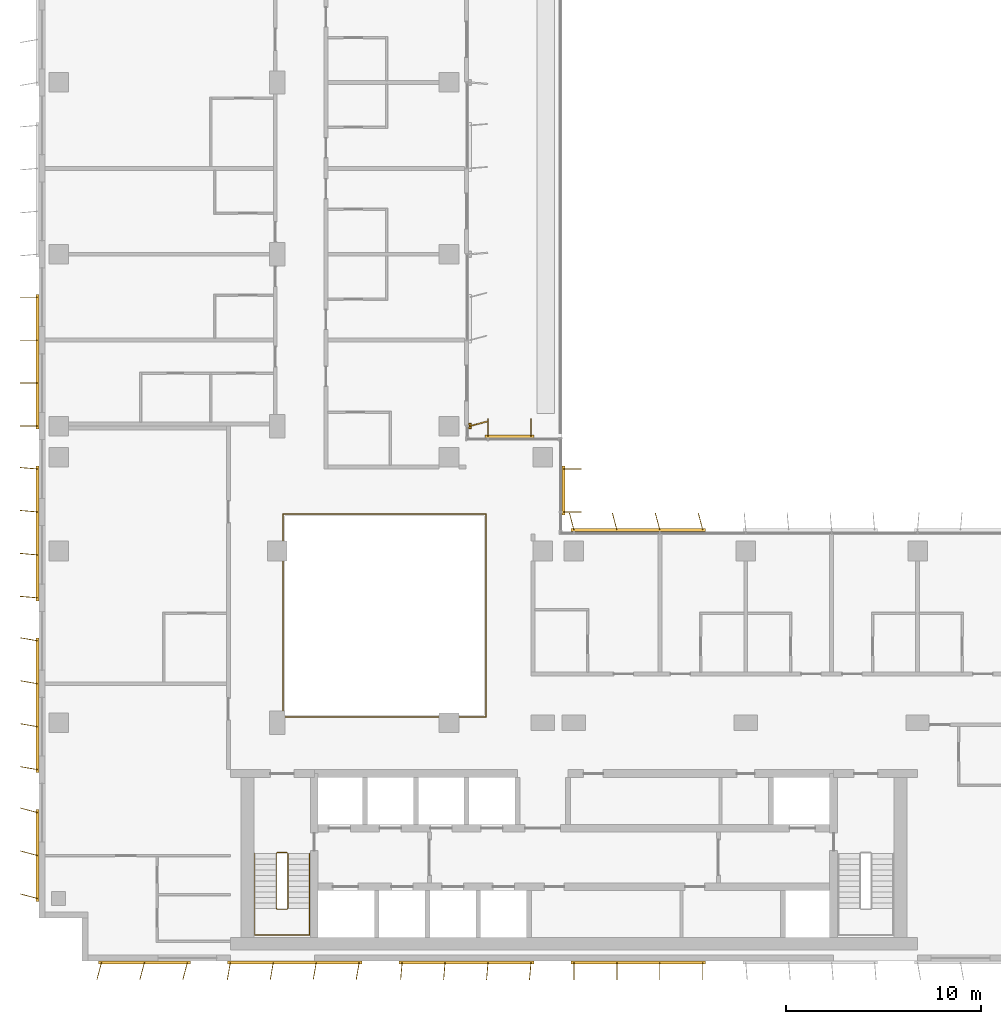
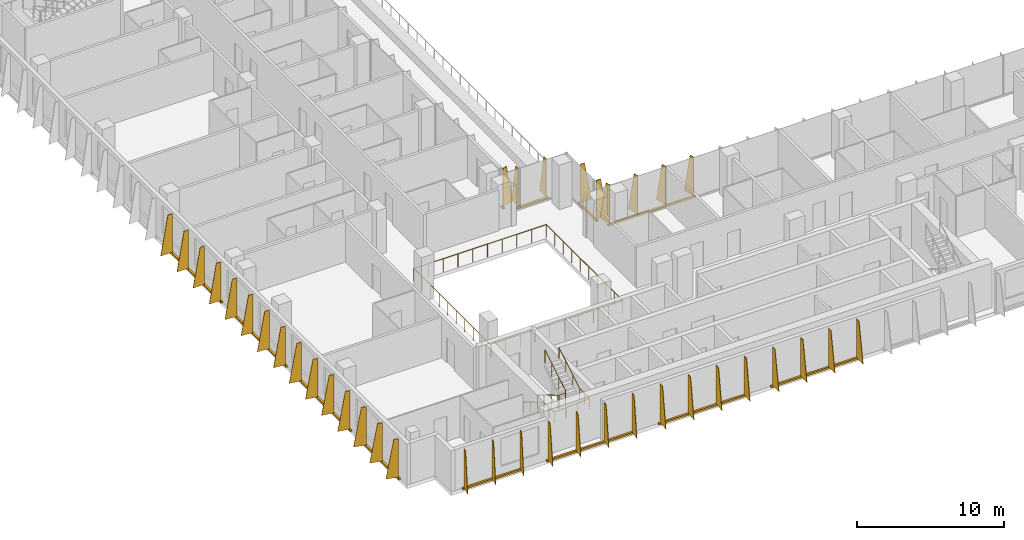
# One storey, part 19 of 22: 12 shading devices, 3 railings.
"""IFC4 building model written with IfcOpenShell, lengths in metres."""

from ifc_helpers import new_model, si_unit, direction, frame, origin, origin_2d, place, context, subcontext, project, spatial, polyline, rectangle, circle, outline, extrude, source, transform, mapped, material, layer, layer_set, type_object, element, save


model = new_model("IFC4")

# Units and contexts
model_context = context("Model", 3, precision=1e-05, world=origin(), true_north=direction((0.0, 1.0)))
body_context = subcontext(model_context, "Body", "Model", "MODEL_VIEW")
ifc_project = project(units=[si_unit("LENGTHUNIT", "METRE"), si_unit("AREAUNIT", "SQUARE_METRE"), si_unit("VOLUMEUNIT", "CUBIC_METRE"), si_unit("PLANEANGLEUNIT", "RADIAN"), si_unit("MASSUNIT", "GRAM", prefix="KILO")], contexts=[model_context])

# Site, building, storey
site_placement = place(None, origin())
site = spatial("IfcSite", under=ifc_project, at=site_placement, CompositionType="ELEMENT")
building_placement = place(site_placement, origin())
building = spatial("IfcBuilding", under=site, at=building_placement, Name="Kemantara Hotel Tower", CompositionType="ELEMENT")
storey_placement = place(building_placement, frame((0.0, 0.0, 153.10009765625)))
storey = spatial("IfcBuildingStorey", under=building, at=storey_placement, Name="L37", CompositionType="ELEMENT", Elevation=153.10009765625)

# Railings
ifc_material_1 = material(Name="Stainless steel and laminated glass balustrade", Category="steel")
railing_type_1 = type_object("IfcRailingType", Name="ATRIUM GUARD 1100", PredefinedType="GUARDRAIL", material=ifc_material_1)
railing_1_placement = place(storey_placement, frame((12.56005859375, 12.5, 0.0)))
element("IfcRailing", 1, at=railing_1_placement, inside=storey, type_object=railing_type_1, Name="ATRIUM GUARD L37", PredefinedType="GUARDRAIL", context=body_context, shape_type="SweptSolid", body=[
    extrude(circle(Radius=0.02490234375, at=origin_2d()), frame((0.0, 0.0, 1.0751953125), z_axis=(1.0, 0.0, 0.0), x_axis=(0.0, 1.0, 0.0)), (0.0, 0.0, 1.0), 10.33984375),
    extrude(circle(Radius=0.02490234375, at=origin_2d()), frame((10.33984375, 0.0, 1.0751953125), z_axis=(0.0, 1.0, 0.0), x_axis=(-1.0, 0.0, 0.0)), (0.0, 0.0, 1.0), 10.39990234375),
    extrude(circle(Radius=0.02490234375, at=origin_2d()), frame((10.33984375, 10.39990234375, 1.0751953125), z_axis=(-1.0, 0.0, 0.0), x_axis=(0.0, -1.0, 0.0)), (0.0, 0.0, 1.0), 10.39990234375),
    extrude(circle(Radius=0.02490234375, at=origin_2d()), frame((-0.06005859375, 10.39990234375, 1.0751953125), z_axis=(0.0, -1.0, 0.0), x_axis=(1.0, 0.0, 0.0)), (0.0, 0.0, 1.0), 10.39990234375),
    extrude(circle(Radius=0.02001953125, at=origin_2d()), origin(), (0.0, 0.0, 1.0), 1.050048828125),
    extrude(circle(Radius=0.02001953125, at=origin_2d()), frame((1.14892578125, 0.0, 0.0)), (0.0, 0.0, 1.0), 1.050048828125),
    extrude(circle(Radius=0.02001953125, at=origin_2d()), frame((2.2978515625, 0.0, 0.0)), (0.0, 0.0, 1.0), 1.050048828125),
    extrude(circle(Radius=0.02001953125, at=origin_2d()), frame((3.446533203125, 0.0, 0.0)), (0.0, 0.0, 1.0), 1.050048828125),
    extrude(circle(Radius=0.02001953125, at=origin_2d()), frame((4.595458984375, 0.0, 0.0)), (0.0, 0.0, 1.0), 1.050048828125),
    extrude(circle(Radius=0.02001953125, at=origin_2d()), frame((5.744384765625, 0.0, 0.0)), (0.0, 0.0, 1.0), 1.050048828125),
    extrude(circle(Radius=0.02001953125, at=origin_2d()), frame((6.893310546875, 0.0, 0.0)), (0.0, 0.0, 1.0), 1.050048828125),
    extrude(circle(Radius=0.02001953125, at=origin_2d()), frame((8.0419921875, 0.0, 0.0)), (0.0, 0.0, 1.0), 1.050048828125),
    extrude(circle(Radius=0.02001953125, at=origin_2d()), frame((9.19091796875, 0.0, 0.0)), (0.0, 0.0, 1.0), 1.050048828125),
    extrude(circle(Radius=0.02001953125, at=origin_2d()), frame((10.33984375, 0.0, 0.0)), (0.0, 0.0, 1.0), 1.050048828125),
    extrude(circle(Radius=0.02001953125, at=origin_2d()), frame((10.33984375, 1.155517578125, 0.0)), (0.0, 0.0, 1.0), 1.050048828125),
    extrude(circle(Radius=0.02001953125, at=origin_2d()), frame((10.33984375, 2.31103515625, 0.0)), (0.0, 0.0, 1.0), 1.050048828125),
    extrude(circle(Radius=0.02001953125, at=origin_2d()), frame((10.33984375, 3.466552734375, 0.0)), (0.0, 0.0, 1.0), 1.050048828125),
    extrude(circle(Radius=0.02001953125, at=origin_2d()), frame((10.33984375, 4.6220703125, 0.0)), (0.0, 0.0, 1.0), 1.050048828125),
    extrude(circle(Radius=0.02001953125, at=origin_2d()), frame((10.33984375, 5.77783203125, 0.0)), (0.0, 0.0, 1.0), 1.050048828125),
    extrude(circle(Radius=0.02001953125, at=origin_2d()), frame((10.33984375, 6.933349609375, 0.0)), (0.0, 0.0, 1.0), 1.050048828125),
    extrude(circle(Radius=0.02001953125, at=origin_2d()), frame((10.33984375, 8.0888671875, 0.0)), (0.0, 0.0, 1.0), 1.050048828125),
    extrude(circle(Radius=0.02001953125, at=origin_2d()), frame((10.33984375, 9.244384765625, 0.0)), (0.0, 0.0, 1.0), 1.050048828125),
    extrude(circle(Radius=0.02001953125, at=origin_2d()), frame((10.33984375, 10.39990234375, 0.0)), (0.0, 0.0, 1.0), 1.050048828125),
    extrude(circle(Radius=0.02001953125, at=origin_2d()), frame((9.184326171875, 10.39990234375, 0.0)), (0.0, 0.0, 1.0), 1.050048828125),
    extrude(circle(Radius=0.02001953125, at=origin_2d()), frame((8.02880859375, 10.39990234375, 0.0)), (0.0, 0.0, 1.0), 1.050048828125),
    extrude(circle(Radius=0.02001953125, at=origin_2d()), frame((6.873291015625, 10.39990234375, 0.0)), (0.0, 0.0, 1.0), 1.050048828125),
    extrude(circle(Radius=0.02001953125, at=origin_2d()), frame((5.7177734375, 10.39990234375, 0.0)), (0.0, 0.0, 1.0), 1.050048828125),
    extrude(circle(Radius=0.02001953125, at=origin_2d()), frame((4.56201171875, 10.39990234375, 0.0)), (0.0, 0.0, 1.0), 1.050048828125),
    extrude(circle(Radius=0.02001953125, at=origin_2d()), frame((3.406494140625, 10.39990234375, 0.0)), (0.0, 0.0, 1.0), 1.050048828125),
    extrude(circle(Radius=0.02001953125, at=origin_2d()), frame((2.2509765625, 10.39990234375, 0.0)), (0.0, 0.0, 1.0), 1.050048828125),
    extrude(circle(Radius=0.02001953125, at=origin_2d()), frame((1.095458984375, 10.39990234375, 0.0)), (0.0, 0.0, 1.0), 1.050048828125),
    extrude(circle(Radius=0.02001953125, at=origin_2d()), frame((-0.06005859375, 10.39990234375, 0.0)), (0.0, 0.0, 1.0), 1.050048828125),
    extrude(circle(Radius=0.02001953125, at=origin_2d()), frame((-0.06005859375, 9.244384765625, 0.0)), (0.0, 0.0, 1.0), 1.050048828125),
    extrude(circle(Radius=0.02001953125, at=origin_2d()), frame((-0.06005859375, 8.0888671875, 0.0)), (0.0, 0.0, 1.0), 1.050048828125),
    extrude(circle(Radius=0.02001953125, at=origin_2d()), frame((-0.06005859375, 6.933349609375, 0.0)), (0.0, 0.0, 1.0), 1.050048828125),
    extrude(circle(Radius=0.02001953125, at=origin_2d()), frame((-0.06005859375, 5.77783203125, 0.0)), (0.0, 0.0, 1.0), 1.050048828125),
    extrude(circle(Radius=0.02001953125, at=origin_2d()), frame((-0.06005859375, 4.6220703125, 0.0)), (0.0, 0.0, 1.0), 1.050048828125),
    extrude(circle(Radius=0.02001953125, at=origin_2d()), frame((-0.06005859375, 3.466552734375, 0.0)), (0.0, 0.0, 1.0), 1.050048828125),
    extrude(circle(Radius=0.02001953125, at=origin_2d()), frame((-0.06005859375, 2.31103515625, 0.0)), (0.0, 0.0, 1.0), 1.050048828125),
    extrude(circle(Radius=0.02001953125, at=origin_2d()), frame((-0.06005859375, 1.155517578125, 0.0)), (0.0, 0.0, 1.0), 1.050048828125),
    extrude(circle(Radius=0.02001953125, at=origin_2d()), frame((-0.06005859375, 0.0, 0.0)), (0.0, 0.0, 1.0), 1.050048828125),
])
ifc_material_2 = material(Name="Stainless steel balustrade", Category="steel")
railing_type_2 = type_object("IfcRailingType", Name="Stair guard 1100 mm", PredefinedType="GUARDRAIL", material=ifc_material_2)
railing_2_placement = place(storey_placement, frame((12.75, 5.5, 3.699951171875)))
element("IfcRailing", 2, at=railing_2_placement, inside=storey, type_object=railing_type_2, Name="L37 ST1 stair guard 1", PredefinedType="GUARDRAIL", context=body_context, shape_type="SweptSolid", body=[
    extrude(circle(Radius=0.02392578125, at=origin_2d()), frame((0.0, 0.0, 1.076171875), z_axis=(0.0, -0.857242210791, -0.514913383045), x_axis=(1.0, 0.0, 0.0)), (0.0, 0.0, 1.0), 3.266357421875),
    extrude(circle(Radius=0.02392578125, at=origin_2d()), frame((0.0, -2.800048828125, -0.60595703125), z_axis=(-0.274243871929, -0.274243871929, -0.92172696468), x_axis=(0.707106781187, -0.707106781187, 0.0)), (0.0, 0.0, 1.0), 0.1826171875),
    extrude(circle(Radius=0.02392578125, at=origin_2d()), frame((-0.050048828125, -2.85009765625, -0.77392578125), z_axis=(-1.0, 0.0, 0.0), x_axis=(0.0, -1.0, 0.0)), (0.0, 0.0, 1.0), 0.5),
    extrude(circle(Radius=0.02392578125, at=origin_2d()), frame((-0.550048828125, -2.85009765625, -0.77392578125), z_axis=(-0.707106781187, 0.707106781187, 0.0), x_axis=(-0.707106781187, -0.707106781187, 0.0)), (0.0, 0.0, 1.0), 0.07080078125),
    extrude(circle(Radius=0.02392578125, at=origin_2d()), frame((-0.60009765625, -2.800048828125, -0.77392578125), z_axis=(0.0, 0.857242210791, -0.514913383045), x_axis=(-1.0, 0.0, 0.0)), (0.0, 0.0, 1.0), 3.266357421875),
    extrude(circle(Radius=0.02392578125, at=origin_2d()), frame((-0.60009765625, 0.0, -2.4560546875), z_axis=(0.274582412415, 0.274582412415, -0.921525364591), x_axis=(-0.707106781187, 0.707106781187, 0.0)), (0.0, 0.0, 1.0), 0.182373046875),
    extrude(circle(Radius=0.02392578125, at=origin_2d()), frame((-0.550048828125, 0.050048828125, -2.6240234375), z_axis=(1.0, 0.0, 0.0), x_axis=(0.0, 1.0, 0.0)), (0.0, 0.0, 1.0), 0.5),
    extrude(circle(Radius=0.02099609375, at=origin_2d()), origin(), (0.0, 0.0, 1.0), 1.052001953125),
    extrude(circle(Radius=0.02099609375, at=origin_2d()), frame((0.0, -0.933349609375, -0.560546875)), (0.0, 0.0, 1.0), 1.052001953125),
    extrude(circle(Radius=0.02099609375, at=origin_2d()), frame((0.0, -1.86669921875, -1.121337890625)), (0.0, 0.0, 1.0), 1.052001953125),
    extrude(circle(Radius=0.02099609375, at=origin_2d()), frame((0.0, -2.800048828125, -1.681884765625)), (0.0, 0.0, 1.0), 1.052001953125),
    extrude(circle(Radius=0.02099609375, at=origin_2d()), frame((-0.050048828125, -2.85009765625, -1.85009765625)), (0.0, 0.0, 1.0), 1.052001953125),
    extrude(circle(Radius=0.02099609375, at=origin_2d()), frame((-0.550048828125, -2.85009765625, -1.85009765625)), (0.0, 0.0, 1.0), 1.052001953125),
    extrude(circle(Radius=0.02099609375, at=origin_2d()), frame((-0.60009765625, -2.800048828125, -1.85009765625)), (0.0, 0.0, 1.0), 1.052001953125),
    extrude(circle(Radius=0.02099609375, at=origin_2d()), frame((-0.60009765625, -1.86669921875, -2.41064453125)), (0.0, 0.0, 1.0), 1.052001953125),
    extrude(circle(Radius=0.02099609375, at=origin_2d()), frame((-0.60009765625, -0.933349609375, -2.971435546875)), (0.0, 0.0, 1.0), 1.052001953125),
    extrude(circle(Radius=0.02099609375, at=origin_2d()), frame((-0.60009765625, 0.0, -3.531982421875)), (0.0, 0.0, 1.0), 1.052001953125),
    extrude(circle(Radius=0.02099609375, at=origin_2d()), frame((-0.550048828125, 0.050048828125, -3.699951171875)), (0.0, 0.0, 1.0), 1.052001953125),
    extrude(circle(Radius=0.02099609375, at=origin_2d()), frame((-0.050048828125, 0.050048828125, -3.699951171875)), (0.0, 0.0, 1.0), 1.052001953125),
])
railing_type_3 = type_object("IfcRailingType", Name="Stair handrail 900 mm", PredefinedType="HANDRAIL", material=ifc_material_2)
railing_3_placement = place(storey_placement, frame((11.050048828125, 5.5, 0.16796875)))
element("IfcRailing", 3, at=railing_3_placement, inside=storey, type_object=railing_type_3, Name="L37 ST1 stair handrail 1", PredefinedType="HANDRAIL", context=body_context, shape_type="SweptSolid", body=[
    extrude(circle(Radius=0.02392578125, at=origin_2d()), frame((0.0, 0.0, 0.8759765625), z_axis=(0.0, -0.857242210791, 0.514913383045), x_axis=(1.0, 0.0, 0.0)), (0.0, 0.0, 1.0), 3.266357421875),
    extrude(circle(Radius=0.02392578125, at=origin_2d()), frame((0.0, -2.800048828125, 2.5576171875), z_axis=(0.0, -1.0, 0.0), x_axis=(1.0, 0.0, 0.0)), (0.0, 0.0, 1.0), 1.3798828125),
    extrude(circle(Radius=0.02392578125, at=origin_2d()), frame((0.0, -4.179931640625, 2.5576171875), z_axis=(0.998200367801, 0.0, 0.059966871865), x_axis=(0.0, 1.0, 0.0)), (0.0, 0.0, 1.0), 2.80517578125),
    extrude(circle(Radius=0.02392578125, at=origin_2d()), frame((2.800048828125, -4.179931640625, 2.72607421875), z_axis=(0.0, 1.0, 0.0), x_axis=(-1.0, 0.0, 0.0)), (0.0, 0.0, 1.0), 1.3798828125),
    extrude(circle(Radius=0.02392578125, at=origin_2d()), frame((2.800048828125, -2.800048828125, 2.72607421875), z_axis=(0.0, 0.857242210791, 0.514913383045), x_axis=(-1.0, 0.0, 0.0)), (0.0, 0.0, 1.0), 3.266357421875),
    extrude(circle(Radius=0.02099609375, at=origin_2d()), origin(), (0.0, 0.0, 1.0), 0.851806640625),
    extrude(circle(Radius=0.02099609375, at=origin_2d()), frame((0.0, -0.933349609375, 0.560546875)), (0.0, 0.0, 1.0), 0.851806640625),
    extrude(circle(Radius=0.02099609375, at=origin_2d()), frame((0.0, -1.86669921875, 1.121337890625)), (0.0, 0.0, 1.0), 0.851806640625),
    extrude(circle(Radius=0.02099609375, at=origin_2d()), frame((0.0, -2.800048828125, 1.681884765625)), (0.0, 0.0, 1.0), 0.851806640625),
    extrude(circle(Radius=0.02099609375, at=origin_2d()), frame((0.0, -3.489990234375, 1.681884765625)), (0.0, 0.0, 1.0), 0.851806640625),
    extrude(circle(Radius=0.02099609375, at=origin_2d()), frame((0.0, -4.179931640625, 1.681884765625)), (0.0, 0.0, 1.0), 0.851806640625),
    extrude(circle(Radius=0.02099609375, at=origin_2d()), frame((0.933349609375, -4.179931640625, 1.738037109375)), (0.0, 0.0, 1.0), 0.851806640625),
    extrude(circle(Radius=0.02099609375, at=origin_2d()), frame((1.86669921875, -4.179931640625, 1.7939453125)), (0.0, 0.0, 1.0), 0.851806640625),
    extrude(circle(Radius=0.02099609375, at=origin_2d()), frame((2.800048828125, -4.179931640625, 1.85009765625)), (0.0, 0.0, 1.0), 0.851806640625),
    extrude(circle(Radius=0.02099609375, at=origin_2d()), frame((2.800048828125, -3.489990234375, 1.85009765625)), (0.0, 0.0, 1.0), 0.851806640625),
    extrude(circle(Radius=0.02099609375, at=origin_2d()), frame((2.800048828125, -2.800048828125, 1.85009765625)), (0.0, 0.0, 1.0), 0.851806640625),
    extrude(circle(Radius=0.02099609375, at=origin_2d()), frame((2.800048828125, -1.86669921875, 2.41064453125)), (0.0, 0.0, 1.0), 0.851806640625),
    extrude(circle(Radius=0.02099609375, at=origin_2d()), frame((2.800048828125, -0.933349609375, 2.971435546875)), (0.0, 0.0, 1.0), 0.851806640625),
    extrude(circle(Radius=0.02099609375, at=origin_2d()), frame((2.800048828125, 0.0, 3.531982421875)), (0.0, 0.0, 1.0), 0.851806640625),
])

# Shading devices
ifc_material_3 = material(Name="Perforated aluminium plate 4 mm bronze anodised", Category="aluminium")
ifc_layer_1 = layer(ifc_material_3, 0.0400390625)
ifc_layer_set_1 = layer_set([ifc_layer_1], Name="Perforated aluminium plate 4 mm bronze anodised")
shading_device_type_1 = type_object("IfcShadingDeviceType", Name="SCREEN FIN CASSETTE, 3 BLADES AT -15.0 DEG, 3200 HIGH", PredefinedType="USERDEFINED", material=ifc_layer_set_1)
shared_shape_1 = source(origin(), body_context, "Body", "SweptSolid", [
    extrude(rectangle(XDim=4.699951171875, YDim=0.14990234375, at=origin_2d()), frame((2.199951171875, -0.074951171875, -0.14990234375), z_axis=(0.0, 0.0, 1.0), x_axis=(1.0, 0.0, 0.0)), (0.0, 0.0, 1.0), 0.14990234375),
    extrude(outline(polyline([(0.0, 0.0), (0.89990234375, 0.0), (0.35009765625, 3.199951171875), (0.0, 3.199951171875), (0.0, 0.0)])), frame((0.019287109375, -0.080078125, 0.0), z_axis=(-0.966437683387, 0.256901156343, 0.0), x_axis=(-0.256901156343, -0.966437683387, 0.0)), (0.0, 0.0, 1.0), 0.039794921875),
    extrude(outline(polyline([(0.0, 0.0), (0.89990234375, 0.0), (0.35009765625, 3.199951171875), (0.0, 3.199951171875), (0.0, 0.0)])), frame((2.21923828125, -0.080078125, 0.0), z_axis=(-0.966437683387, 0.256901156343, 0.0), x_axis=(-0.256901156343, -0.966437683387, 0.0)), (0.0, 0.0, 1.0), 0.039794921875),
    extrude(outline(polyline([(0.0, 0.0), (0.89990234375, 0.0), (0.35009765625, 3.199951171875), (0.0, 3.199951171875), (0.0, 0.0)])), frame((4.41943359375, -0.080078125, 0.0), z_axis=(-0.966837822169, 0.255391122837, 0.0), x_axis=(-0.255391122837, -0.966837822169, 0.0)), (0.0, 0.0, 1.0), 0.0400390625),
])
for number, where, z_axis, x_axis, name in (
    (4, (0.0, 7.60009765625, 0.099853515625), (0.0, 0.0, 1.0), (0.0, -1.0, 0.0), "SCREEN FIN CASSETTE L37 T3-R05-7"),
    (5, (3.199951171875, 0.0, 0.099853515625), (0.0, 0.0, 1.0), (1.0, 0.0, 0.0), "SCREEN FIN CASSETTE L37 T3-R08-1"),
):
    element("IfcShadingDevice", number, at=place(storey_placement, frame(where, z_axis=z_axis, x_axis=x_axis)), inside=storey, type_object=shading_device_type_1, Name=name, ObjectType="SCREEN FIN", PredefinedType="USERDEFINED", context=body_context, shape_type="MappedRepresentation", body=[
        mapped(shared_shape_1, transform((0.0, 0.0, 0.0))),
    ])
ifc_layer_2 = layer(ifc_material_3, 0.0400390625)
ifc_layer_set_2 = layer_set([ifc_layer_2], Name="Perforated aluminium plate 4 mm bronze anodised")
shading_device_type_2 = type_object("IfcShadingDeviceType", Name="SCREEN FIN CASSETTE, 4 BLADES AT -10.0 DEG, 3200 HIGH", PredefinedType="USERDEFINED", material=ifc_layer_set_2)
shared_shape_2 = source(origin(), body_context, "Body", "SweptSolid", [
    extrude(rectangle(XDim=6.89990234375, YDim=0.14990234375, at=origin_2d()), frame((3.300048828125, -0.074951171875, -0.14990234375), z_axis=(0.0, 0.0, 1.0), x_axis=(1.0, 0.0, 0.0)), (0.0, 0.0, 1.0), 0.14990234375),
    extrude(outline(polyline([(0.0, 0.0), (0.89990234375, 0.0), (0.35009765625, 3.199951171875), (0.0, 3.199951171875), (0.0, 0.0)])), frame((0.019775390625, -0.078369140625, 0.0), z_axis=(-0.985389793052, 0.170314285219, 0.0), x_axis=(-0.170314285219, -0.985389793052, 0.0)), (0.0, 0.0, 1.0), 0.0400390625),
    extrude(outline(polyline([(0.0, 0.0), (0.89990234375, 0.0), (0.35009765625, 3.199951171875), (0.0, 3.199951171875), (0.0, 0.0)])), frame((2.2197265625, -0.078369140625, 0.0), z_axis=(-0.98521175482, 0.171341174751, 0.0), x_axis=(-0.171341174751, -0.98521175482, 0.0)), (0.0, 0.0, 1.0), 0.039794921875),
    extrude(outline(polyline([(0.0, 0.0), (0.89990234375, 0.0), (0.35009765625, 3.199951171875), (0.0, 3.199951171875), (0.0, 0.0)])), frame((4.419677734375, -0.078369140625, 0.0), z_axis=(-0.98521175482, 0.171341174751, 0.0), x_axis=(-0.171341174751, -0.98521175482, 0.0)), (0.0, 0.0, 1.0), 0.039794921875),
    extrude(outline(polyline([(0.0, 0.0), (0.89990234375, 0.0), (0.35009765625, 3.199951171875), (0.0, 3.199951171875), (0.0, 0.0)])), frame((6.61962890625, -0.078369140625, 0.0), z_axis=(-0.98521175482, 0.171341174751, 0.0), x_axis=(-0.171341174751, -0.98521175482, 0.0)), (0.0, 0.0, 1.0), 0.039794921875),
])
for number, where, z_axis, x_axis, name in (
    (6, (0.0, 16.39990234375, 0.099853515625), (0.0, 0.0, 1.0), (0.0, -1.0, 0.0), "SCREEN FIN CASSETTE L37 T3-R05-6"),
    (7, (9.800048828125, 0.0, 0.099853515625), (0.0, 0.0, 1.0), (1.0, 0.0, 0.0), "SCREEN FIN CASSETTE L37 T3-R08-2"),
):
    element("IfcShadingDevice", number, at=place(storey_placement, frame(where, z_axis=z_axis, x_axis=x_axis)), inside=storey, type_object=shading_device_type_2, Name=name, ObjectType="SCREEN FIN", PredefinedType="USERDEFINED", context=body_context, shape_type="MappedRepresentation", body=[
        mapped(shared_shape_2, transform((0.0, 0.0, 0.0))),
    ])
ifc_layer_3 = layer(ifc_material_3, 0.0400390625)
ifc_layer_set_3 = layer_set([ifc_layer_3], Name="Perforated aluminium plate 4 mm bronze anodised")
shading_device_type_3 = type_object("IfcShadingDeviceType", Name="SCREEN FIN CASSETTE, 4 BLADES AT -5.0 DEG, 3200 HIGH", PredefinedType="USERDEFINED", material=ifc_layer_set_3)
shared_shape_3 = source(origin(), body_context, "Body", "SweptSolid", [
    extrude(rectangle(XDim=6.89990234375, YDim=0.14990234375, at=origin_2d()), frame((3.300048828125, -0.074951171875, -0.14990234375), z_axis=(0.0, 0.0, 1.0), x_axis=(1.0, 0.0, 0.0)), (0.0, 0.0, 1.0), 0.14990234375),
    extrude(outline(polyline([(0.0, 0.0), (0.89990234375, 0.0), (0.35009765625, 3.199951171875), (0.0, 3.199951171875), (0.0, 0.0)])), frame((0.02001953125, -0.07666015625, 0.0), z_axis=(-0.996376129781, 0.085056498884, 0.0), x_axis=(-0.085056498884, -0.996376129781, 0.0)), (0.0, 0.0, 1.0), 0.040283203125),
    extrude(outline(polyline([(0.0, 0.0), (0.89990234375, 0.0), (0.35009765625, 3.199951171875), (0.0, 3.199951171875), (0.0, 0.0)])), frame((2.219970703125, -0.07666015625, 0.0), z_axis=(-0.996331773833, 0.085574508182, 0.0), x_axis=(-0.085574508182, -0.996331773833, 0.0)), (0.0, 0.0, 1.0), 0.0400390625),
    extrude(outline(polyline([(0.0, 0.0), (0.89990234375, 0.0), (0.35009765625, 3.199951171875), (0.0, 3.199951171875), (0.0, 0.0)])), frame((4.419921875, -0.07666015625, 0.0), z_axis=(-0.996331773833, 0.085574508182, 0.0), x_axis=(-0.085574508182, -0.996331773833, 0.0)), (0.0, 0.0, 1.0), 0.0400390625),
    extrude(outline(polyline([(0.0, 0.0), (0.89990234375, 0.0), (0.35009765625, 3.199951171875), (0.0, 3.199951171875), (0.0, 0.0)])), frame((6.619873046875, -0.07666015625, 0.0), z_axis=(-0.996331773833, 0.085574508182, 0.0), x_axis=(-0.085574508182, -0.996331773833, 0.0)), (0.0, 0.0, 1.0), 0.0400390625),
])
for number, where, z_axis, x_axis, name in (
    (8, (0.0, 25.199951171875, 0.099853515625), (0.0, 0.0, 1.0), (0.0, -1.0, 0.0), "SCREEN FIN CASSETTE L37 T3-R05-5"),
    (9, (18.60009765625, 0.0, 0.099853515625), (0.0, 0.0, 1.0), (1.0, 0.0, 0.0), "SCREEN FIN CASSETTE L37 T3-R08-3"),
):
    element("IfcShadingDevice", number, at=place(storey_placement, frame(where, z_axis=z_axis, x_axis=x_axis)), inside=storey, type_object=shading_device_type_3, Name=name, ObjectType="SCREEN FIN", PredefinedType="USERDEFINED", context=body_context, shape_type="MappedRepresentation", body=[
        mapped(shared_shape_3, transform((0.0, 0.0, 0.0))),
    ])
ifc_layer_4 = layer(ifc_material_3, 0.0400390625)
ifc_layer_set_4 = layer_set([ifc_layer_4], Name="Perforated aluminium plate 4 mm bronze anodised")
shading_device_type_4 = type_object("IfcShadingDeviceType", Name="SCREEN FIN CASSETTE, 4 BLADES AT +0.0 DEG, 3200 HIGH", PredefinedType="USERDEFINED", material=ifc_layer_set_4)
shared_shape_4 = source(origin(), body_context, "Body", "SweptSolid", [
    extrude(rectangle(XDim=6.89990234375, YDim=0.14990234375, at=origin_2d()), frame((3.300048828125, -0.074951171875, -0.14990234375), z_axis=(0.0, 0.0, 1.0), x_axis=(1.0, 0.0, 0.0)), (0.0, 0.0, 1.0), 0.14990234375),
    extrude(outline(polyline([(0.0, 0.0), (0.89990234375, 0.0), (0.35009765625, 3.199951171875), (0.0, 3.199951171875), (0.0, 0.0)])), frame((0.02001953125, -0.074951171875, 0.0), z_axis=(-1.0, 0.0, 0.0), x_axis=(0.0, -1.0, 0.0)), (0.0, 0.0, 1.0), 0.0400390625),
    extrude(outline(polyline([(0.0, 0.0), (0.89990234375, 0.0), (0.35009765625, 3.199951171875), (0.0, 3.199951171875), (0.0, 0.0)])), frame((2.219970703125, -0.074951171875, 0.0), z_axis=(-1.0, 0.0, 0.0), x_axis=(0.0, -1.0, 0.0)), (0.0, 0.0, 1.0), 0.0400390625),
    extrude(outline(polyline([(0.0, 0.0), (0.89990234375, 0.0), (0.35009765625, 3.199951171875), (0.0, 3.199951171875), (0.0, 0.0)])), frame((4.419921875, -0.074951171875, 0.0), z_axis=(-1.0, 0.0, 0.0), x_axis=(0.0, -1.0, 0.0)), (0.0, 0.0, 1.0), 0.0400390625),
    extrude(outline(polyline([(0.0, 0.0), (0.89990234375, 0.0), (0.35009765625, 3.199951171875), (0.0, 3.199951171875), (0.0, 0.0)])), frame((6.6201171875, -0.074951171875, 0.0), z_axis=(-1.0, 0.0, 0.0), x_axis=(0.0, -1.0, 0.0)), (0.0, 0.0, 1.0), 0.0400390625),
])
for number, where, z_axis, x_axis, name in (
    (10, (0.0, 34.0, 0.099853515625), (0.0, 0.0, 1.0), (0.0, -1.0, 0.0), "SCREEN FIN CASSETTE L37 T3-R05-4"),
    (11, (27.39990234375, 0.0, 0.099853515625), (0.0, 0.0, 1.0), (1.0, 0.0, 0.0), "SCREEN FIN CASSETTE L37 T3-R08-4"),
):
    element("IfcShadingDevice", number, at=place(storey_placement, frame(where, z_axis=z_axis, x_axis=x_axis)), inside=storey, type_object=shading_device_type_4, Name=name, ObjectType="SCREEN FIN", PredefinedType="USERDEFINED", context=body_context, shape_type="MappedRepresentation", body=[
        mapped(shared_shape_4, transform((0.0, 0.0, 0.0))),
    ])
ifc_layer_5 = layer(ifc_material_3, 0.0400390625)
ifc_layer_set_5 = layer_set([ifc_layer_5], Name="Perforated aluminium plate 4 mm bronze anodised")
shading_device_type_5 = type_object("IfcShadingDeviceType", Name="SCREEN FIN CASSETTE, 4 BLADES AT +15.0 DEG, 3200 HIGH", PredefinedType="USERDEFINED", material=ifc_layer_set_5)
shared_shape_5 = source(origin(), body_context, "Body", "SweptSolid", [
    extrude(rectangle(XDim=6.89990234375, YDim=0.14990234375, at=origin_2d()), frame((3.300048828125, -0.074951171875, -0.14990234375), z_axis=(0.0, 0.0, 1.0), x_axis=(1.0, 0.0, 0.0)), (0.0, 0.0, 1.0), 0.14990234375),
    extrude(outline(polyline([(0.0, 0.0), (0.89990234375, 0.0), (0.35009765625, 3.199951171875), (0.0, 3.199951171875), (0.0, 0.0)])), frame((0.019287109375, -0.06982421875, 0.0), z_axis=(-0.966437683387, -0.256901156343, 0.0), x_axis=(0.256901156343, -0.966437683387, 0.0)), (0.0, 0.0, 1.0), 0.039794921875),
    extrude(outline(polyline([(0.0, 0.0), (0.89990234375, 0.0), (0.35009765625, 3.199951171875), (0.0, 3.199951171875), (0.0, 0.0)])), frame((2.21923828125, -0.06982421875, 0.0), z_axis=(-0.966437683387, -0.256901156343, 0.0), x_axis=(0.256901156343, -0.966437683387, 0.0)), (0.0, 0.0, 1.0), 0.039794921875),
    extrude(outline(polyline([(0.0, 0.0), (0.89990234375, 0.0), (0.35009765625, 3.199951171875), (0.0, 3.199951171875), (0.0, 0.0)])), frame((4.41943359375, -0.06982421875, 0.0), z_axis=(-0.966837822169, -0.255391122837, 0.0), x_axis=(0.255391122837, -0.966837822169, 0.0)), (0.0, 0.0, 1.0), 0.0400390625),
    extrude(outline(polyline([(0.0, 0.0), (0.89990234375, 0.0), (0.35009765625, 3.199951171875), (0.0, 3.199951171875), (0.0, 0.0)])), frame((6.619384765625, -0.06982421875, 0.0), z_axis=(-0.966837822169, -0.255391122837, 0.0), x_axis=(0.255391122837, -0.966837822169, 0.0)), (0.0, 0.0, 1.0), 0.0400390625),
])
shading_device_1_placement = place(storey_placement, frame((34.0, 22.0, 0.099853515625), z_axis=(0.0, 0.0, 1.0), x_axis=(-1.0, 0.0, 0.0)))
element("IfcShadingDevice", 12, at=shading_device_1_placement, inside=storey, type_object=shading_device_type_5, Name="SCREEN FIN CASSETTE L37 T3-R14-4", ObjectType="SCREEN FIN", PredefinedType="USERDEFINED", context=body_context, shape_type="MappedRepresentation", body=[
    mapped(shared_shape_5, transform((0.0, 0.0, 0.0))),
])
ifc_layer_6 = layer(ifc_material_3, 0.0400390625)
ifc_layer_set_6 = layer_set([ifc_layer_6], Name="Perforated aluminium plate 4 mm bronze anodised")
shading_device_type_6 = type_object("IfcShadingDeviceType", Name="SCREEN FIN CASSETTE, 1 BLADE AT +15.0 DEG, 3150 HIGH", PredefinedType="USERDEFINED", material=ifc_layer_set_6)
shared_shape_6 = source(origin(), body_context, "Body", "SweptSolid", [
    extrude(rectangle(XDim=0.300048828125, YDim=0.14990234375, at=origin_2d()), frame((0.0, -0.074951171875, -0.14990234375), z_axis=(0.0, 0.0, 1.0), x_axis=(1.0, 0.0, 0.0)), (0.0, 0.0, 1.0), 0.14990234375),
    extrude(outline(polyline([(0.0, 0.0), (0.89990234375, 0.0), (0.35009765625, 3.14990234375), (0.0, 3.14990234375), (0.0, 0.0)])), frame((0.019287109375, -0.06982421875, 0.0), z_axis=(-0.966437683387, -0.256901156343, 0.0), x_axis=(0.256901156343, -0.966437683387, 0.0)), (0.0, 0.0, 1.0), 0.039794921875),
])
shading_device_2_placement = place(storey_placement, frame((22.0, 27.39990234375, 0.14990234375), z_axis=(0.0, 0.0, 1.0), x_axis=(0.0, 1.0, 0.0)))
element("IfcShadingDevice", 13, at=shading_device_2_placement, inside=storey, type_object=shading_device_type_6, Name="SCREEN FIN CASSETTE L37 T3-R17-1", ObjectType="SCREEN FIN", PredefinedType="USERDEFINED", context=body_context, shape_type="MappedRepresentation", body=[
    mapped(shared_shape_6, transform((0.0, 0.0, 0.0))),
])
ifc_layer_7 = layer(ifc_material_3, 0.0400390625)
ifc_layer_set_7 = layer_set([ifc_layer_7], Name="Perforated aluminium plate 4 mm bronze anodised")
shading_device_type_7 = type_object("IfcShadingDeviceType", Name="SCREEN FIN CASSETTE, 2 BLADES AT +0.0 DEG, 3200 HIGH", PredefinedType="USERDEFINED", material=ifc_layer_set_7)
shared_shape_7 = source(origin(), body_context, "Body", "SweptSolid", [
    extrude(rectangle(XDim=2.5, YDim=0.14990234375, at=origin_2d()), frame((1.10009765625, -0.074951171875, -0.14990234375), z_axis=(0.0, 0.0, 1.0), x_axis=(1.0, 0.0, 0.0)), (0.0, 0.0, 1.0), 0.14990234375),
    extrude(outline(polyline([(0.0, 0.0), (0.89990234375, 0.0), (0.35009765625, 3.199951171875), (0.0, 3.199951171875), (0.0, 0.0)])), frame((0.02001953125, -0.074951171875, 0.0), z_axis=(-1.0, 0.0, 0.0), x_axis=(0.0, -1.0, 0.0)), (0.0, 0.0, 1.0), 0.0400390625),
    extrude(outline(polyline([(0.0, 0.0), (0.89990234375, 0.0), (0.35009765625, 3.199951171875), (0.0, 3.199951171875), (0.0, 0.0)])), frame((2.219970703125, -0.074951171875, 0.0), z_axis=(-1.0, 0.0, 0.0), x_axis=(0.0, -1.0, 0.0)), (0.0, 0.0, 1.0), 0.0400390625),
])
shading_device_3_placement = place(storey_placement, frame((26.800048828125, 23.0, 0.099853515625), z_axis=(0.0, 0.0, 1.0), x_axis=(0.0, 1.0, 0.0)))
element("IfcShadingDevice", 14, at=shading_device_3_placement, inside=storey, type_object=shading_device_type_7, Name="SCREEN FIN CASSETTE L37 T3-R15-1", ObjectType="SCREEN FIN", PredefinedType="USERDEFINED", context=body_context, shape_type="MappedRepresentation", body=[
    mapped(shared_shape_7, transform((0.0, 0.0, 0.0))),
])
ifc_layer_8 = layer(ifc_material_3, 0.0400390625)
ifc_layer_set_8 = layer_set([ifc_layer_8], Name="Perforated aluminium plate 4 mm bronze anodised")
shading_device_type_8 = type_object("IfcShadingDeviceType", Name="SCREEN FIN CASSETTE, 2 BLADES AT +0.0 DEG, 3150 HIGH", PredefinedType="USERDEFINED", material=ifc_layer_set_8)
shared_shape_8 = source(origin(), body_context, "Body", "SweptSolid", [
    extrude(rectangle(XDim=2.5, YDim=0.14990234375, at=origin_2d()), frame((1.10009765625, -0.074951171875, -0.14990234375), z_axis=(0.0, 0.0, 1.0), x_axis=(1.0, 0.0, 0.0)), (0.0, 0.0, 1.0), 0.14990234375),
    extrude(outline(polyline([(0.0, 0.0), (0.89990234375, 0.0), (0.35009765625, 3.14990234375), (0.0, 3.14990234375), (0.0, 0.0)])), frame((0.02001953125, -0.074951171875, 0.0), z_axis=(-1.0, 0.0, 0.0), x_axis=(0.0, -1.0, 0.0)), (0.0, 0.0, 1.0), 0.0400390625),
    extrude(outline(polyline([(0.0, 0.0), (0.89990234375, 0.0), (0.35009765625, 3.14990234375), (0.0, 3.14990234375), (0.0, 0.0)])), frame((2.219970703125, -0.074951171875, 0.0), z_axis=(-1.0, 0.0, 0.0), x_axis=(0.0, -1.0, 0.0)), (0.0, 0.0, 1.0), 0.0400390625),
])
shading_device_4_placement = place(storey_placement, frame((25.199951171875, 26.800048828125, 0.14990234375), z_axis=(0.0, 0.0, 1.0), x_axis=(-1.0, 0.0, 0.0)))
element("IfcShadingDevice", 15, at=shading_device_4_placement, inside=storey, type_object=shading_device_type_8, Name="SCREEN FIN CASSETTE L37 T3-R16-1", ObjectType="SCREEN FIN", PredefinedType="USERDEFINED", context=body_context, shape_type="MappedRepresentation", body=[
    mapped(shared_shape_8, transform((0.0, 0.0, 0.0))),
])

save(model, "model.ifc")
